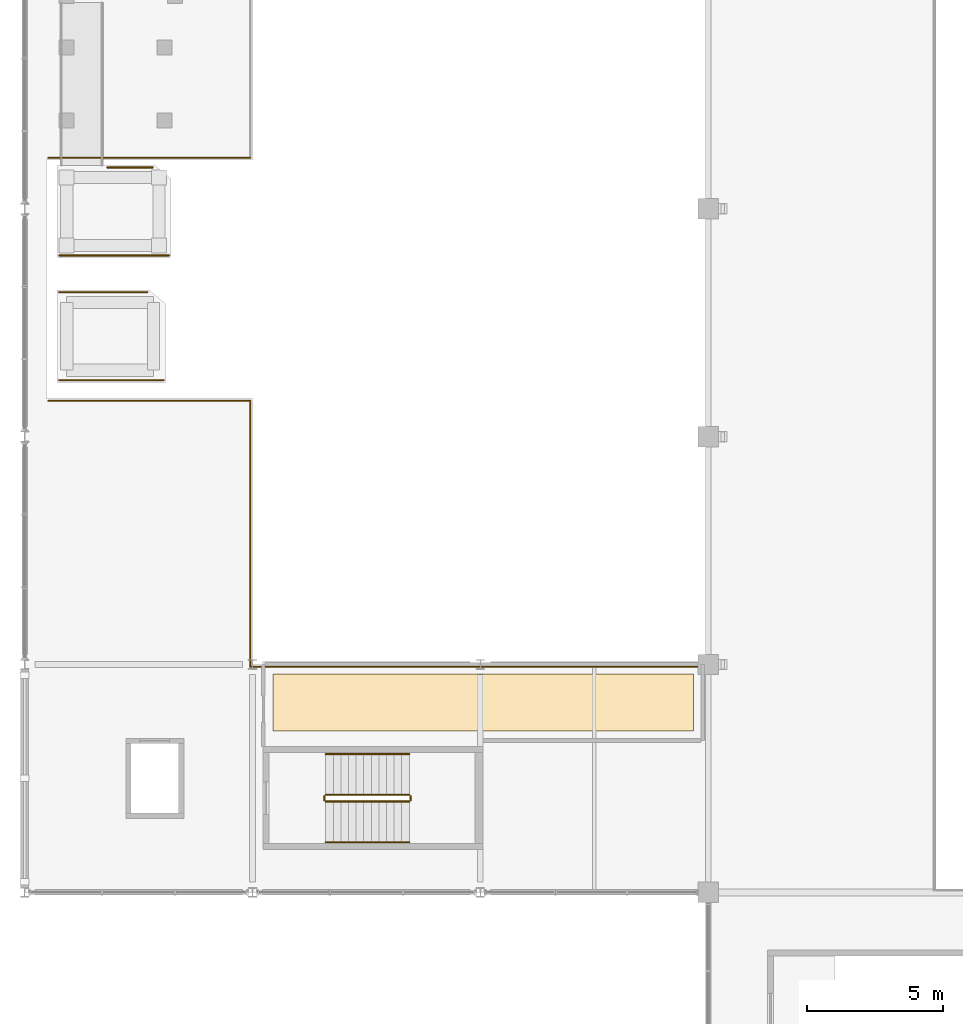
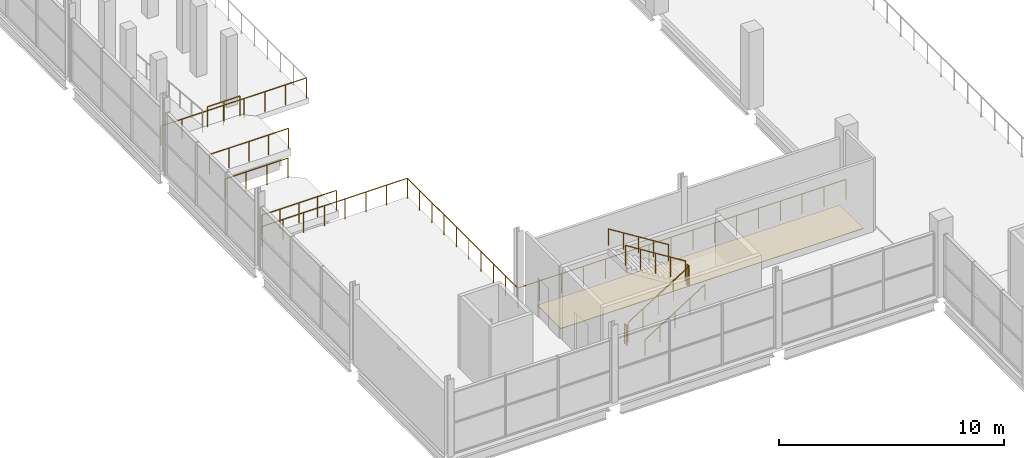
# One storey, part 149 of 161: 14 railings, 1 covering.
"""IFC4 building model written with IfcOpenShell, lengths in metres."""

from ifc_helpers import new_model, si_unit, direction, frame, origin, origin_2d, place, context, subcontext, project, spatial, polyline, circle, outline, extrude, material, layer, layer_set, type_object, element, save


model = new_model("IFC4")

# Units and contexts
model_context = context("Model", 3, precision=1e-05, world=origin(), true_north=direction((0.0, 1.0)))
body_context = subcontext(model_context, "Body", "Model", "MODEL_VIEW")
ifc_project = project(units=[si_unit("LENGTHUNIT", "METRE"), si_unit("AREAUNIT", "SQUARE_METRE"), si_unit("VOLUMEUNIT", "CUBIC_METRE"), si_unit("PLANEANGLEUNIT", "RADIAN"), si_unit("MASSUNIT", "GRAM", prefix="KILO"), si_unit("THERMODYNAMICTEMPERATUREUNIT", "KELVIN")], contexts=[model_context])

# Site, building, storey
site_placement = place(None, origin())
site = spatial("IfcSite", under=ifc_project, at=site_placement, CompositionType="ELEMENT")
building_placement = place(site_placement, origin())
building = spatial("IfcBuilding", under=site, at=building_placement, Name="Nduvali Passage Aquatics Centre", CompositionType="ELEMENT")
storey_placement = place(building_placement, frame((0.0, 0.0, 4.800048828125)))
storey = spatial("IfcBuildingStorey", under=building, at=storey_placement, Name="L01", CompositionType="ELEMENT", Elevation=4.800048828125)

# Covering
ifc_material_1 = material(Name="Polished coral-aggregate terrazzo")
ifc_layer = layer(ifc_material_1, 0.030029296875, Name="Polished coral-aggregate terrazzo")
ifc_layer_set = layer_set([ifc_layer], Name="Polished coral-aggregate terrazzo")
covering_type = type_object("IfcCoveringType", Name="INT-COV-TERRAZZO", PredefinedType="FLOORING", material=ifc_layer_set)
covering_placement = place(storey_placement, origin())
element("IfcCovering", 1, at=covering_placement, inside=storey, type_object=covering_type, Name="L01 Diving Coaches Video Review Office Floor Finish", PredefinedType="FLOORING", context=body_context, shape_type="SweptSolid", body=[
    extrude(outline(polyline([(9.14990234375, 39.550048828125), (24.64990234375, 39.550048828125), (24.64990234375, 41.64990234375), (9.14990234375, 41.64990234375), (9.14990234375, 39.550048828125)])), origin(), (0.0, 0.0, 1.0), 0.030029296875),
])

# Railings
ifc_material_2 = material(Name="Stainless steel balustrade", Category="steel")
railing_type_1 = type_object("IfcRailingType", Name="INT-RLG-GRD110", PredefinedType="GUARDRAIL", material=ifc_material_2)
railing_1_placement = place(storey_placement, frame((11.10009765625, 36.949951171875, 0.175048828125)))
element("IfcRailing", 2, at=railing_1_placement, inside=storey, type_object=railing_type_1, Name="L01 ST9 stair guard 1", PredefinedType="GUARDRAIL", context=body_context, shape_type="SweptSolid", body=[
    extrude(circle(Radius=0.02392578125, at=origin_2d()), frame((0.0, 0.0, 1.076171875), z_axis=(0.848009633417, 0.0, 0.529980812513), x_axis=(0.0, 1.0, 0.0)), (0.0, 0.0, 1.0), 3.6318359375),
    extrude(circle(Radius=0.02099609375, at=origin_2d()), origin(), (0.0, 0.0, 1.0), 1.052001953125),
    extrude(circle(Radius=0.02099609375, at=origin_2d()), frame((0.77001953125, 0.0, 0.481201171875)), (0.0, 0.0, 1.0), 1.052001953125),
    extrude(circle(Radius=0.02099609375, at=origin_2d()), frame((1.5400390625, 0.0, 0.96240234375)), (0.0, 0.0, 1.0), 1.052001953125),
    extrude(circle(Radius=0.02099609375, at=origin_2d()), frame((2.309814453125, 0.0, 1.443603515625)), (0.0, 0.0, 1.0), 1.052001953125),
    extrude(circle(Radius=0.02099609375, at=origin_2d()), frame((3.079833984375, 0.0, 1.9248046875)), (0.0, 0.0, 1.0), 1.052001953125),
])
railing_2_placement = place(storey_placement, frame((14.22998046875, 37.0, 2.099853515625)))
element("IfcRailing", 3, at=railing_2_placement, inside=storey, type_object=railing_type_1, Name="L01 ST9 stair guard 2", PredefinedType="GUARDRAIL", context=body_context, shape_type="SweptSolid", body=[
    extrude(circle(Radius=0.02392578125, at=origin_2d()), frame((0.0, 0.0, 1.076171875), z_axis=(0.0, 1.0, 0.0), x_axis=(-1.0, 0.0, 0.0)), (0.0, 0.0, 1.0), 0.14990234375),
    extrude(circle(Radius=0.02099609375, at=origin_2d()), origin(), (0.0, 0.0, 1.0), 1.052001953125),
    extrude(circle(Radius=0.02099609375, at=origin_2d()), frame((0.0, 0.14990234375, 0.0)), (0.0, 0.0, 1.0), 1.052001953125),
])
railing_3_placement = place(storey_placement, frame((14.179931640625, 37.199951171875, 2.27490234375)))
element("IfcRailing", 4, at=railing_3_placement, inside=storey, type_object=railing_type_1, Name="L01 ST9 stair guard 3", PredefinedType="GUARDRAIL", context=body_context, shape_type="SweptSolid", body=[
    extrude(circle(Radius=0.02392578125, at=origin_2d()), frame((0.0, 0.0, 1.076171875), z_axis=(-0.847979421464, 0.0, 0.530029150871), x_axis=(0.0, -1.0, 0.0)), (0.0, 0.0, 1.0), 3.632080078125),
    extrude(circle(Radius=0.02099609375, at=origin_2d()), origin(), (0.0, 0.0, 1.0), 1.052001953125),
    extrude(circle(Radius=0.02099609375, at=origin_2d()), frame((-0.77001953125, 0.0, 0.481201171875)), (0.0, 0.0, 1.0), 1.052001953125),
    extrude(circle(Radius=0.02099609375, at=origin_2d()), frame((-1.5400390625, 0.0, 0.96240234375)), (0.0, 0.0, 1.0), 1.052001953125),
    extrude(circle(Radius=0.02099609375, at=origin_2d()), frame((-2.309814453125, 0.0, 1.44384765625)), (0.0, 0.0, 1.0), 1.052001953125),
    extrude(circle(Radius=0.02099609375, at=origin_2d()), frame((-3.079833984375, 0.0, 1.925048828125)), (0.0, 0.0, 1.0), 1.052001953125),
])
railing_4_placement = place(storey_placement, frame((11.050048828125, 37.0, 0.0)))
element("IfcRailing", 5, at=railing_4_placement, inside=storey, type_object=railing_type_1, Name="L01 ST9 stair guard 4", PredefinedType="GUARDRAIL", context=body_context, shape_type="SweptSolid", body=[
    extrude(circle(Radius=0.02392578125, at=origin_2d()), frame((0.0, 0.0, 1.076171875), z_axis=(0.0, 1.0, 0.0), x_axis=(-1.0, 0.0, 0.0)), (0.0, 0.0, 1.0), 0.14990234375),
    extrude(circle(Radius=0.02099609375, at=origin_2d()), origin(), (0.0, 0.0, 1.0), 1.052001953125),
    extrude(circle(Radius=0.02099609375, at=origin_2d()), frame((0.0, 0.14990234375, 0.0)), (0.0, 0.0, 1.0), 1.052001953125),
])
railing_5_placement = place(storey_placement, frame((8.320068359375, 41.919921875, 0.0)))
element("IfcRailing", 6, at=railing_5_placement, inside=storey, type_object=railing_type_1, Name="L01 Diving South Gallery Balustrade", PredefinedType="GUARDRAIL", context=body_context, shape_type="SweptSolid", body=[
    extrude(circle(Radius=0.02392578125, at=origin_2d()), frame((0.0, 0.0, 1.076171875), z_axis=(1.0, 0.0, 0.0), x_axis=(0.0, 1.0, 0.0)), (0.0, 0.0, 1.0), 16.800048828125),
    extrude(circle(Radius=0.02099609375, at=origin_2d()), origin(), (0.0, 0.0, 1.0), 1.052001953125),
    extrude(circle(Radius=0.02099609375, at=origin_2d()), frame((1.1201171875, 0.0, 0.0)), (0.0, 0.0, 1.0), 1.052001953125),
    extrude(circle(Radius=0.02099609375, at=origin_2d()), frame((2.239990234375, 0.0, 0.0)), (0.0, 0.0, 1.0), 1.052001953125),
    extrude(circle(Radius=0.02099609375, at=origin_2d()), frame((3.360107421875, 0.0, 0.0)), (0.0, 0.0, 1.0), 1.052001953125),
    extrude(circle(Radius=0.02099609375, at=origin_2d()), frame((4.47998046875, 0.0, 0.0)), (0.0, 0.0, 1.0), 1.052001953125),
    extrude(circle(Radius=0.02099609375, at=origin_2d()), frame((5.60009765625, 0.0, 0.0)), (0.0, 0.0, 1.0), 1.052001953125),
    extrude(circle(Radius=0.02099609375, at=origin_2d()), frame((6.719970703125, 0.0, 0.0)), (0.0, 0.0, 1.0), 1.052001953125),
    extrude(circle(Radius=0.02099609375, at=origin_2d()), frame((7.840087890625, 0.0, 0.0)), (0.0, 0.0, 1.0), 1.052001953125),
    extrude(circle(Radius=0.02099609375, at=origin_2d()), frame((8.9599609375, 0.0, 0.0)), (0.0, 0.0, 1.0), 1.052001953125),
    extrude(circle(Radius=0.02099609375, at=origin_2d()), frame((10.080078125, 0.0, 0.0)), (0.0, 0.0, 1.0), 1.052001953125),
    extrude(circle(Radius=0.02099609375, at=origin_2d()), frame((11.199951171875, 0.0, 0.0)), (0.0, 0.0, 1.0), 1.052001953125),
    extrude(circle(Radius=0.02099609375, at=origin_2d()), frame((12.320068359375, 0.0, 0.0)), (0.0, 0.0, 1.0), 1.052001953125),
    extrude(circle(Radius=0.02099609375, at=origin_2d()), frame((13.43994140625, 0.0, 0.0)), (0.0, 0.0, 1.0), 1.052001953125),
    extrude(circle(Radius=0.02099609375, at=origin_2d()), frame((14.56005859375, 0.0, 0.0)), (0.0, 0.0, 1.0), 1.052001953125),
    extrude(circle(Radius=0.02099609375, at=origin_2d()), frame((15.679931640625, 0.0, 0.0)), (0.0, 0.0, 1.0), 1.052001953125),
    extrude(circle(Radius=0.02099609375, at=origin_2d()), frame((16.800048828125, 0.0, 0.0)), (0.0, 0.0, 1.0), 1.052001953125),
])
railing_6_placement = place(storey_placement, frame((8.320068359375, 41.919921875, 0.0)))
element("IfcRailing", 7, at=railing_6_placement, inside=storey, type_object=railing_type_1, Name="L01 Diving West Mezzanine South Balustrade", PredefinedType="GUARDRAIL", context=body_context, shape_type="SweptSolid", body=[
    extrude(circle(Radius=0.02392578125, at=origin_2d()), frame((0.0, 0.0, 1.076171875), z_axis=(0.0, 1.0, 0.0), x_axis=(-1.0, 0.0, 0.0)), (0.0, 0.0, 1.0), 9.800048828125),
    extrude(circle(Radius=0.02099609375, at=origin_2d()), origin(), (0.0, 0.0, 1.0), 1.052001953125),
    extrude(circle(Radius=0.02099609375, at=origin_2d()), frame((0.0, 1.0888671875, 0.0)), (0.0, 0.0, 1.0), 1.052001953125),
    extrude(circle(Radius=0.02099609375, at=origin_2d()), frame((0.0, 2.177734375, 0.0)), (0.0, 0.0, 1.0), 1.052001953125),
    extrude(circle(Radius=0.02099609375, at=origin_2d()), frame((0.0, 3.2666015625, 0.0)), (0.0, 0.0, 1.0), 1.052001953125),
    extrude(circle(Radius=0.02099609375, at=origin_2d()), frame((0.0, 4.35546875, 0.0)), (0.0, 0.0, 1.0), 1.052001953125),
    extrude(circle(Radius=0.02099609375, at=origin_2d()), frame((0.0, 5.444580078125, 0.0)), (0.0, 0.0, 1.0), 1.052001953125),
    extrude(circle(Radius=0.02099609375, at=origin_2d()), frame((0.0, 6.533447265625, 0.0)), (0.0, 0.0, 1.0), 1.052001953125),
    extrude(circle(Radius=0.02099609375, at=origin_2d()), frame((0.0, 7.622314453125, 0.0)), (0.0, 0.0, 1.0), 1.052001953125),
    extrude(circle(Radius=0.02099609375, at=origin_2d()), frame((0.0, 8.711181640625, 0.0)), (0.0, 0.0, 1.0), 1.052001953125),
    extrude(circle(Radius=0.02099609375, at=origin_2d()), frame((0.0, 9.800048828125, 0.0)), (0.0, 0.0, 1.0), 1.052001953125),
])
for number, where, name in (
    (8, (0.8798828125, 51.719970703125, 0.0), "L01 Diving Mezzanine Cutout South Guard"),
    (9, (0.8798828125, 60.679931640625, 0.0), "L01 Diving Mezzanine Cutout North Guard"),
):
    element("IfcRailing", number, at=place(storey_placement, frame(where)), inside=storey, type_object=railing_type_1, Name=name, PredefinedType="GUARDRAIL", context=body_context, shape_type="SweptSolid", body=[
        extrude(circle(Radius=0.02392578125, at=origin_2d()), frame((0.0, 0.0, 1.076171875), z_axis=(1.0, 0.0, 0.0), x_axis=(0.0, 1.0, 0.0)), (0.0, 0.0, 1.0), 7.440185546875),
        extrude(circle(Radius=0.02099609375, at=origin_2d()), origin(), (0.0, 0.0, 1.0), 1.052001953125),
        extrude(circle(Radius=0.02099609375, at=origin_2d()), frame((1.06298828125, 0.0, 0.0)), (0.0, 0.0, 1.0), 1.052001953125),
        extrude(circle(Radius=0.02099609375, at=origin_2d()), frame((2.125732421875, 0.0, 0.0)), (0.0, 0.0, 1.0), 1.052001953125),
        extrude(circle(Radius=0.02099609375, at=origin_2d()), frame((3.188720703125, 0.0, 0.0)), (0.0, 0.0, 1.0), 1.052001953125),
        extrude(circle(Radius=0.02099609375, at=origin_2d()), frame((4.25146484375, 0.0, 0.0)), (0.0, 0.0, 1.0), 1.052001953125),
        extrude(circle(Radius=0.02099609375, at=origin_2d()), frame((5.314453125, 0.0, 0.0)), (0.0, 0.0, 1.0), 1.052001953125),
        extrude(circle(Radius=0.02099609375, at=origin_2d()), frame((6.377197265625, 0.0, 0.0)), (0.0, 0.0, 1.0), 1.052001953125),
        extrude(circle(Radius=0.02099609375, at=origin_2d()), frame((7.440185546875, 0.0, 0.0)), (0.0, 0.0, 1.0), 1.052001953125),
    ])
railing_7_placement = place(storey_placement, frame((1.280029296875, 52.47998046875, 0.0)))
element("IfcRailing", 10, at=railing_7_placement, inside=storey, type_object=railing_type_1, Name="Diving 3m Platform South Guard", PredefinedType="GUARDRAIL", context=body_context, shape_type="SweptSolid", body=[
    extrude(circle(Radius=0.02392578125, at=origin_2d()), frame((0.0, 0.0, 1.076171875), z_axis=(1.0, 0.0, 0.0), x_axis=(0.0, 1.0, 0.0)), (0.0, 0.0, 1.0), 3.840087890625),
    extrude(circle(Radius=0.02099609375, at=origin_2d()), origin(), (0.0, 0.0, 1.0), 1.052001953125),
    extrude(circle(Radius=0.02099609375, at=origin_2d()), frame((0.9599609375, 0.0, 0.0)), (0.0, 0.0, 1.0), 1.052001953125),
    extrude(circle(Radius=0.02099609375, at=origin_2d()), frame((1.919921875, 0.0, 0.0)), (0.0, 0.0, 1.0), 1.052001953125),
    extrude(circle(Radius=0.02099609375, at=origin_2d()), frame((2.880126953125, 0.0, 0.0)), (0.0, 0.0, 1.0), 1.052001953125),
    extrude(circle(Radius=0.02099609375, at=origin_2d()), frame((3.840087890625, 0.0, 0.0)), (0.0, 0.0, 1.0), 1.052001953125),
])
railing_8_placement = place(storey_placement, frame((1.280029296875, 55.719970703125, 0.0)))
element("IfcRailing", 11, at=railing_8_placement, inside=storey, type_object=railing_type_1, Name="Diving 3m Platform North Guard", PredefinedType="GUARDRAIL", context=body_context, shape_type="SweptSolid", body=[
    extrude(circle(Radius=0.02392578125, at=origin_2d()), frame((0.0, 0.0, 1.076171875), z_axis=(1.0, 0.0, 0.0), x_axis=(0.0, 1.0, 0.0)), (0.0, 0.0, 1.0), 3.239990234375),
    extrude(circle(Radius=0.02099609375, at=origin_2d()), origin(), (0.0, 0.0, 1.0), 1.052001953125),
    extrude(circle(Radius=0.02099609375, at=origin_2d()), frame((1.080078125, 0.0, 0.0)), (0.0, 0.0, 1.0), 1.052001953125),
    extrude(circle(Radius=0.02099609375, at=origin_2d()), frame((2.159912109375, 0.0, 0.0)), (0.0, 0.0, 1.0), 1.052001953125),
    extrude(circle(Radius=0.02099609375, at=origin_2d()), frame((3.239990234375, 0.0, 0.0)), (0.0, 0.0, 1.0), 1.052001953125),
])
railing_9_placement = place(storey_placement, frame((1.280029296875, 57.080078125, 0.5)))
element("IfcRailing", 12, at=railing_9_placement, inside=storey, type_object=railing_type_1, Name="Diving 5m Platform South Guard", PredefinedType="GUARDRAIL", context=body_context, shape_type="SweptSolid", body=[
    extrude(circle(Radius=0.02392578125, at=origin_2d()), frame((0.0, 0.0, 1.076171875), z_axis=(1.0, 0.0, 0.0), x_axis=(0.0, 1.0, 0.0)), (0.0, 0.0, 1.0), 4.0400390625),
    extrude(circle(Radius=0.02099609375, at=origin_2d()), origin(), (0.0, 0.0, 1.0), 1.052001953125),
    extrude(circle(Radius=0.02099609375, at=origin_2d()), frame((1.010009765625, 0.0, 0.0)), (0.0, 0.0, 1.0), 1.052001953125),
    extrude(circle(Radius=0.02099609375, at=origin_2d()), frame((2.02001953125, 0.0, 0.0)), (0.0, 0.0, 1.0), 1.052001953125),
    extrude(circle(Radius=0.02099609375, at=origin_2d()), frame((3.030029296875, 0.0, 0.0)), (0.0, 0.0, 1.0), 1.052001953125),
    extrude(circle(Radius=0.02099609375, at=origin_2d()), frame((4.0400390625, 0.0, 0.0)), (0.0, 0.0, 1.0), 1.052001953125),
])
railing_10_placement = place(storey_placement, frame((3.050048828125, 60.320068359375, 0.5)))
element("IfcRailing", 13, at=railing_10_placement, inside=storey, type_object=railing_type_1, Name="Diving 5m Platform North Guard", PredefinedType="GUARDRAIL", context=body_context, shape_type="SweptSolid", body=[
    extrude(circle(Radius=0.02392578125, at=origin_2d()), frame((0.0, 0.0, 1.076171875), z_axis=(1.0, 0.0, 0.0), x_axis=(0.0, 1.0, 0.0)), (0.0, 0.0, 1.0), 1.669921875),
    extrude(circle(Radius=0.02099609375, at=origin_2d()), origin(), (0.0, 0.0, 1.0), 1.052001953125),
    extrude(circle(Radius=0.02099609375, at=origin_2d()), frame((0.8349609375, 0.0, 0.0)), (0.0, 0.0, 1.0), 1.052001953125),
    extrude(circle(Radius=0.02099609375, at=origin_2d()), frame((1.669921875, 0.0, 0.0)), (0.0, 0.0, 1.0), 1.052001953125),
])
railing_type_2 = type_object("IfcRailingType", Name="INT-RLG-HND90", PredefinedType="HANDRAIL", material=ifc_material_2)
railing_11_placement = place(storey_placement, frame((11.10009765625, 35.449951171875, 0.353515625)))
element("IfcRailing", 14, at=railing_11_placement, inside=storey, type_object=railing_type_2, Name="L01 ST9 stair handrail 1", PredefinedType="HANDRAIL", context=body_context, shape_type="SweptSolid", body=[
    extrude(circle(Radius=0.02392578125, at=origin_2d()), frame((0.0, 0.0, 0.8759765625), z_axis=(0.847979421464, 0.0, 0.530029150871), x_axis=(0.0, 1.0, 0.0)), (0.0, 0.0, 1.0), 3.632080078125),
    extrude(circle(Radius=0.02099609375, at=origin_2d()), origin(), (0.0, 0.0, 1.0), 0.851806640625),
    extrude(circle(Radius=0.02099609375, at=origin_2d()), frame((0.77001953125, 0.0, 0.481201171875)), (0.0, 0.0, 1.0), 0.851806640625),
    extrude(circle(Radius=0.02099609375, at=origin_2d()), frame((1.5400390625, 0.0, 0.96240234375)), (0.0, 0.0, 1.0), 0.851806640625),
    extrude(circle(Radius=0.02099609375, at=origin_2d()), frame((2.309814453125, 0.0, 1.44384765625)), (0.0, 0.0, 1.0), 0.851806640625),
    extrude(circle(Radius=0.02099609375, at=origin_2d()), frame((3.079833984375, 0.0, 1.925048828125)), (0.0, 0.0, 1.0), 0.851806640625),
])
railing_12_placement = place(storey_placement, frame((14.179931640625, 38.699951171875, 2.45361328125)))
element("IfcRailing", 15, at=railing_12_placement, inside=storey, type_object=railing_type_2, Name="L01 ST9 stair handrail 2", PredefinedType="HANDRAIL", context=body_context, shape_type="SweptSolid", body=[
    extrude(circle(Radius=0.02392578125, at=origin_2d()), frame((0.0, 0.0, 0.8759765625), z_axis=(-0.847979421464, 0.0, 0.530029150871), x_axis=(0.0, -1.0, 0.0)), (0.0, 0.0, 1.0), 3.632080078125),
    extrude(circle(Radius=0.02099609375, at=origin_2d()), origin(), (0.0, 0.0, 1.0), 0.851806640625),
    extrude(circle(Radius=0.02099609375, at=origin_2d()), frame((-0.77001953125, 0.0, 0.481201171875)), (0.0, 0.0, 1.0), 0.851806640625),
    extrude(circle(Radius=0.02099609375, at=origin_2d()), frame((-1.5400390625, 0.0, 0.96240234375)), (0.0, 0.0, 1.0), 0.851806640625),
    extrude(circle(Radius=0.02099609375, at=origin_2d()), frame((-2.309814453125, 0.0, 1.44384765625)), (0.0, 0.0, 1.0), 0.851806640625),
    extrude(circle(Radius=0.02099609375, at=origin_2d()), frame((-3.079833984375, 0.0, 1.925048828125)), (0.0, 0.0, 1.0), 0.851806640625),
])

save(model, "model.ifc")
